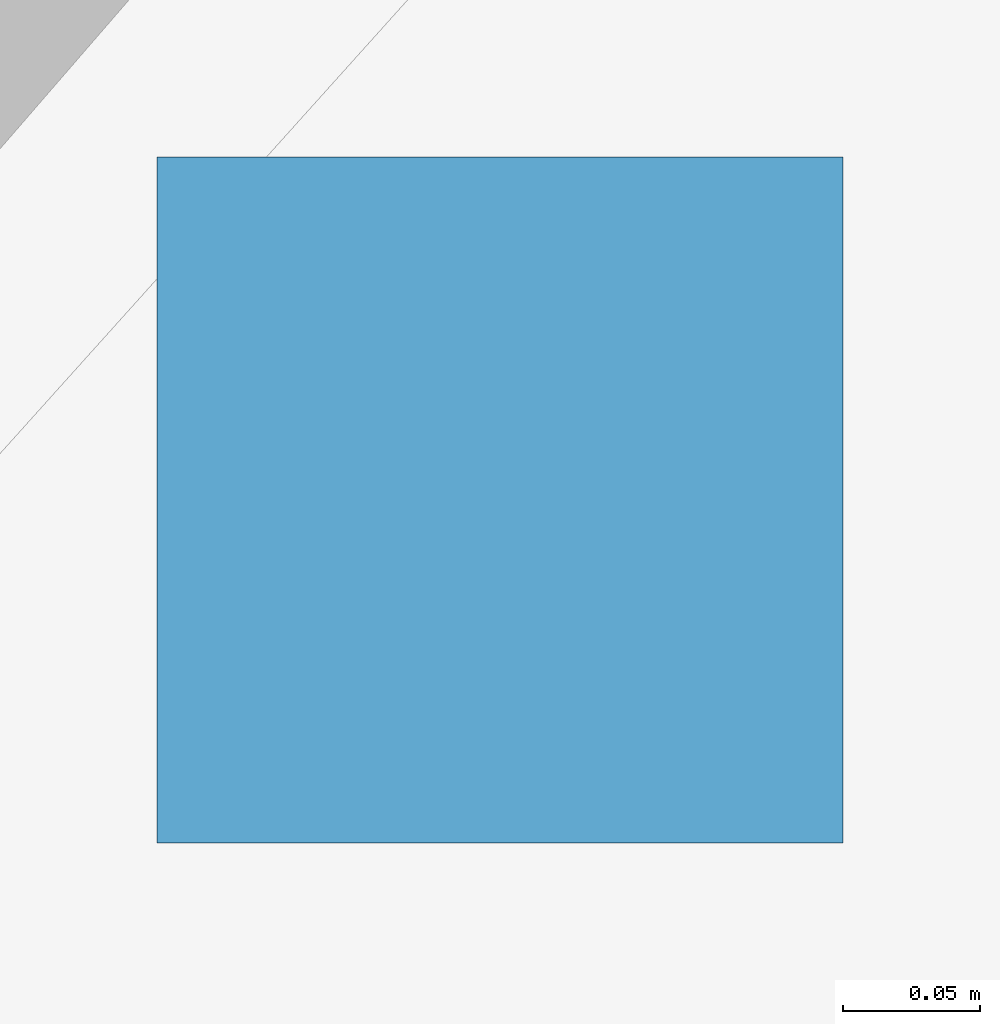
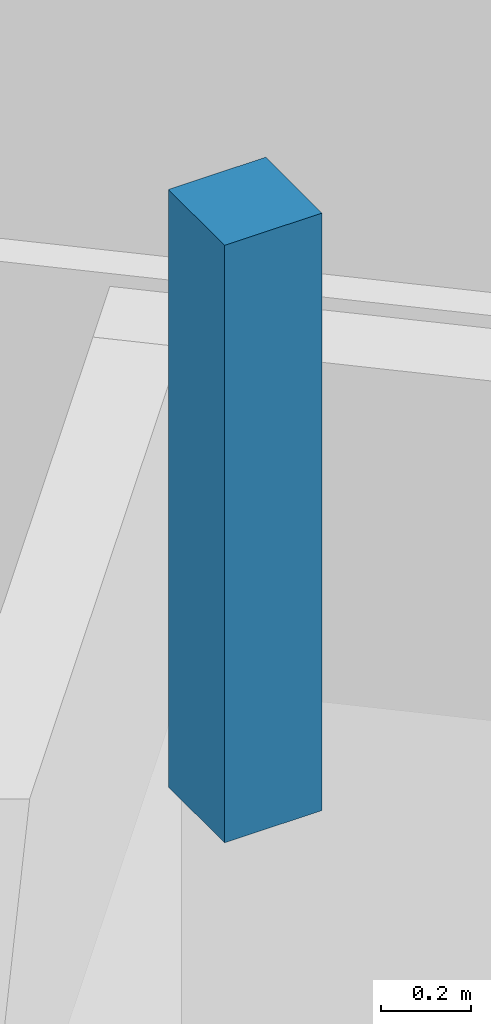
# One storey, part 2 of 32: 1 column.
"""IFC4 building model written with IfcOpenShell, lengths in metres."""

import ifcopenshell
import ifcopenshell.guid

model = None  # the IFC model being written
_history = None  # IfcOwnerHistory: only IFC2X3 demands one
_inside = {}  # id of a spatial element -> (the spatial element, [elements in it])
_under = {}  # id of a project, library or spatial element -> (it, [spatial elements below it])
_declared = {}  # id of a project -> (the project, [libraries it declares])
_typed = {}  # id of a type object -> (the type object, [elements of that type])
_made_of = {}  # id of a material, layer set ... -> (it, [elements and type objects made of it])


def new_model(schema):
    """Start an empty IFC model of exactly this schema.

    Asked for "IFC4X3", IfcOpenShell would pick the latest addendum, in which some entities
    have other attributes; the version numbers below select the first issue.
    IFC2X3 requires an IfcOwnerHistory on every rooted entity: one is made here for all.
    """
    global model, _history
    if schema == "IFC4X3":
        model = ifcopenshell.file(schema_version=(4, 3, 0, 0))
    else:
        model = ifcopenshell.file(schema=schema)
    _inside.clear()
    _under.clear()
    _declared.clear()
    _typed.clear()
    _made_of.clear()
    _history = None
    if model.schema == "IFC2X3":
        org = make("IfcOrganization", Name="unknown")
        user = make(
            "IfcPersonAndOrganization",
            ThePerson=make("IfcPerson", FamilyName="unknown"),
            TheOrganization=org,
        )
        app = make(
            "IfcApplication",
            ApplicationDeveloper=org,
            Version="unknown",
            ApplicationFullName="unknown",
            ApplicationIdentifier="unknown",
        )
        _history = make(
            "IfcOwnerHistory",
            OwningUser=user,
            OwningApplication=app,
            ChangeAction="ADDED",
            CreationDate=0,
        )
    return model


def make(cls, **values):
    """One entity of the class cls with the attributes given. An attribute that is None is left unset."""
    return model.create_entity(
        cls, **{name: value for name, value in values.items() if value is not None}
    )


def rooted(cls, **values):
    """An entity with a GlobalId (a new one), such as an element, a storey or a relation."""
    return make(cls, GlobalId=ifcopenshell.guid.new(), OwnerHistory=_history, **values)


def si_unit(unit_type, name, prefix=None):
    """IfcSIUnit, for example si_unit("LENGTHUNIT", "METRE", prefix="MILLI")."""
    return make("IfcSIUnit", UnitType=unit_type, Prefix=prefix, Name=name)


def assignment(units):
    """IfcUnitAssignment: the units of a project."""
    return None if units is None else make("IfcUnitAssignment", Units=units)


def point(xyz):
    """IfcCartesianPoint."""
    return None if xyz is None else make("IfcCartesianPoint", Coordinates=xyz)


def direction(xyz):
    """IfcDirection."""
    return None if xyz is None else make("IfcDirection", DirectionRatios=xyz)


def frame(location, z_axis=None, x_axis=None):
    """IfcAxis2Placement3D, a coordinate frame: its origin and axes. An axis left out is left unset."""
    return make(
        "IfcAxis2Placement3D",
        Location=point(location),
        Axis=direction(z_axis),
        RefDirection=direction(x_axis),
    )


def frame_2d(location, x_axis=None):
    """IfcAxis2Placement2D, a coordinate frame in the plane: its origin and x axis."""
    return make(
        "IfcAxis2Placement2D", Location=point(location), RefDirection=direction(x_axis)
    )


def origin():
    """The frame at (0, 0, 0) with its axes left unset."""
    return frame((0.0, 0.0, 0.0))


def origin_2d():
    """The frame at (0, 0) in the plane with its x axis left unset."""
    return frame_2d((0.0, 0.0))


def place(relative_to, where):
    """IfcLocalPlacement: puts the frame where relative to a parent placement (None: the world)."""
    return make(
        "IfcLocalPlacement", PlacementRelTo=relative_to, RelativePlacement=where
    )


def context(
    kind, dimensions, precision=None, world=None, true_north=None, identifier=None
):
    """IfcGeometricRepresentationContext, for example the 3D "Model" context."""
    return make(
        "IfcGeometricRepresentationContext",
        ContextIdentifier=identifier,
        ContextType=kind,
        CoordinateSpaceDimension=dimensions,
        Precision=precision,
        WorldCoordinateSystem=world,
        TrueNorth=true_north,
    )


def subcontext(parent, identifier, kind, view, scale=None):
    """IfcGeometricRepresentationSubContext, for example "Body" below "Model"."""
    return make(
        "IfcGeometricRepresentationSubContext",
        ContextIdentifier=identifier,
        ContextType=kind,
        ParentContext=parent,
        TargetScale=scale,
        TargetView=view,
    )


def project(units=None, contexts=None):
    """IfcProject with its units and contexts."""
    return rooted(
        "IfcProject",
        Name="project",
        RepresentationContexts=contexts,
        UnitsInContext=assignment(units),
    )


def spatial(cls, under=None, at=None, **own):
    """A site, building, storey or space (cls), placed at a placement, below another one or the project."""
    s = rooted(cls, ObjectPlacement=at, **own)
    if under is not None:
        _under.setdefault(under.id(), (under, []))[1].append(s)
    return s


def profile(cls, at=None, kind="AREA", **sizes):
    """A parametric profile (cls). Its sizes go by their IFC names, for example OverallWidth=200.0."""
    return make(cls, ProfileType=kind, Position=at, **sizes)


def rectangle(**sizes):
    """IfcRectangleProfileDef."""
    return profile("IfcRectangleProfileDef", **sizes)


def extrude(swept, where, along, depth):
    """IfcExtrudedAreaSolid: the profile swept, set in the frame where, extruded along a direction by depth."""
    return make(
        "IfcExtrudedAreaSolid",
        SweptArea=swept,
        Position=where,
        ExtrudedDirection=direction(along),
        Depth=depth,
    )


def shape(context_of_items, identifier, shape_type, items):
    """IfcShapeRepresentation: the items that make up one representation, for example the "Body"."""
    return make(
        "IfcShapeRepresentation",
        ContextOfItems=context_of_items,
        RepresentationIdentifier=identifier,
        RepresentationType=shape_type,
        Items=items,
    )


def material(Name=None, Category=None):
    """IfcMaterial."""
    return make("IfcMaterial", Name=Name, Category=Category)


def material_profile(
    of_material, cross_section, Name=None, Category=None, Priority=None
):
    """IfcMaterialProfile: a cross section and its material."""
    return make(
        "IfcMaterialProfile",
        Name=Name,
        Material=of_material,
        Profile=cross_section,
        Priority=Priority,
        Category=Category,
    )


def profile_set(profiles, Name=None, composite=None):
    """IfcMaterialProfileSet."""
    return make(
        "IfcMaterialProfileSet",
        Name=Name,
        MaterialProfiles=profiles,
        CompositeProfile=composite,
    )


def made_of(thing, what):
    """Note that an element or type object is made of a material, layer set ...; save() writes the relation."""
    if what is not None:
        _made_of.setdefault(what.id(), (what, []))[1].append(thing)
    return thing


def type_object(cls, material=None, **own):
    """A type object (cls), such as IfcWallType, which elements share."""
    return made_of(rooted(cls, **own), material)


def element(
    cls,
    number,
    at=None,
    inside=None,
    cuts=None,
    type_object=None,
    material=None,
    context=None,
    identifier="Body",
    shape_type=None,
    held_by="IfcProductDefinitionShape",
    body=None,
    shapes=None,
    **own,
):
    """One element of the class cls, such as IfcWall. Its Tag is "e" and its number.

    at: its placement. inside: the storey or other place that contains it. cuts: it is an
    opening in that element (IfcRelVoidsElement). A single representation is given by context,
    identifier, shape_type and body (its items); several are given by shapes. held_by: the class
    of the entity that holds the representations. save() writes the other relations.
    """
    e = rooted(cls, Tag="e%d" % number, ObjectPlacement=at, **own)
    if body is not None:
        shapes = [shape(context, identifier, shape_type, body)]
    if shapes is not None:
        e.Representation = make(held_by, Representations=shapes)
    if inside is not None:
        _inside.setdefault(inside.id(), (inside, []))[1].append(e)
    if cuts is not None:
        rooted(
            "IfcRelVoidsElement", RelatingBuildingElement=cuts, RelatedOpeningElement=e
        )
    if type_object is not None:
        _typed.setdefault(type_object.id(), (type_object, []))[1].append(e)
    return made_of(e, material)


def aggregate(whole, parts):
    """IfcRelAggregates: a whole, such as a stair, and the parts it consists of."""
    return rooted("IfcRelAggregates", RelatingObject=whole, RelatedObjects=parts)


def save(model, path):
    """Write the relations noted so far, then the file.

    IfcRelAggregates (storeys below a building ...), IfcRelContainedInSpatialStructure (elements
    in a storey), IfcRelDefinesByType, IfcRelAssociatesMaterial and IfcRelDeclares: one each for
    every whole, place, type object, material and project.
    """
    for whole, parts in _under.values():
        aggregate(whole, parts)
    for where, things in _inside.values():
        rooted(
            "IfcRelContainedInSpatialStructure",
            RelatedElements=things,
            RelatingStructure=where,
        )
    for kind, things in _typed.values():
        rooted("IfcRelDefinesByType", RelatedObjects=things, RelatingType=kind)
    for what, things in _made_of.values():
        rooted("IfcRelAssociatesMaterial", RelatedObjects=things, RelatingMaterial=what)
    for by, libraries in _declared.values():
        rooted("IfcRelDeclares", RelatingContext=by, RelatedDefinitions=libraries)
    model.write(path)


model = new_model("IFC4")

# Units and contexts
model_context = context("Model", 3, precision=1e-05, world=origin(), true_north=direction((0.0, 1.0)))
body_context = subcontext(model_context, "Body", "Model", "MODEL_VIEW")
ifc_project = project(units=[si_unit("LENGTHUNIT", "METRE"), si_unit("AREAUNIT", "SQUARE_METRE"), si_unit("VOLUMEUNIT", "CUBIC_METRE"), si_unit("PLANEANGLEUNIT", "RADIAN"), si_unit("MASSUNIT", "GRAM", prefix="KILO")], contexts=[model_context])

# Site, building, storey
site_placement = place(None, origin())
site = spatial("IfcSite", under=ifc_project, at=site_placement, CompositionType="ELEMENT")
building_placement = place(site_placement, origin())
building = spatial("IfcBuilding", under=site, at=building_placement, Name="Tamarind Cross Interchange Tower", CompositionType="ELEMENT")
storey_placement = place(building_placement, frame((0.0, 0.0, 211.300048828125)))
storey = spatial("IfcBuildingStorey", under=building, at=storey_placement, Name="L53", CompositionType="ELEMENT", Elevation=211.300048828125)

# Column
ifc_material = material(Name="Concrete C40", Category="concrete")
ifc_material_profile = material_profile(ifc_material, rectangle(XDim=0.25, YDim=0.25, at=origin_2d()), Name="RC 250x250")
ifc_profile_set = profile_set([ifc_material_profile], Name="Concrete C40")
column_type = type_object("IfcColumnType", Name="Column RC 250x250 Concrete C40", PredefinedType="COLUMN", material=ifc_profile_set)
column_placement = place(storey_placement, frame((-5.625732421875, 32.426513671875, 1.800048828125), z_axis=(0.0, 0.0, 1.0), x_axis=(1.0, 0.0, 0.0)))
element("IfcColumn", 1, at=column_placement, inside=storey, type_object=column_type, Name="Column ST4 landing L54", PredefinedType="COLUMN", context=body_context, shape_type="SweptSolid", body=[
    extrude(rectangle(XDim=0.25, YDim=0.25, at=origin_2d()), origin(), (0.0, 0.0, 1.0), 1.619873046875),
])

save(model, "model.ifc")
